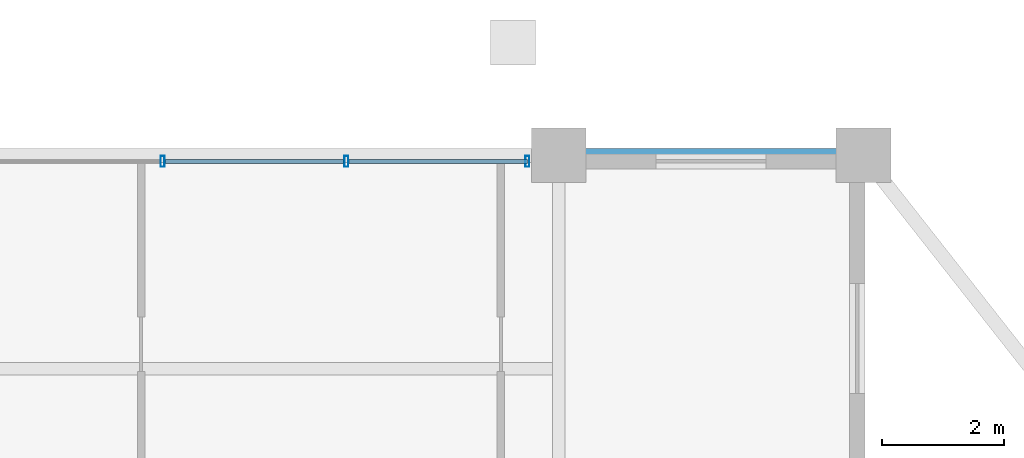
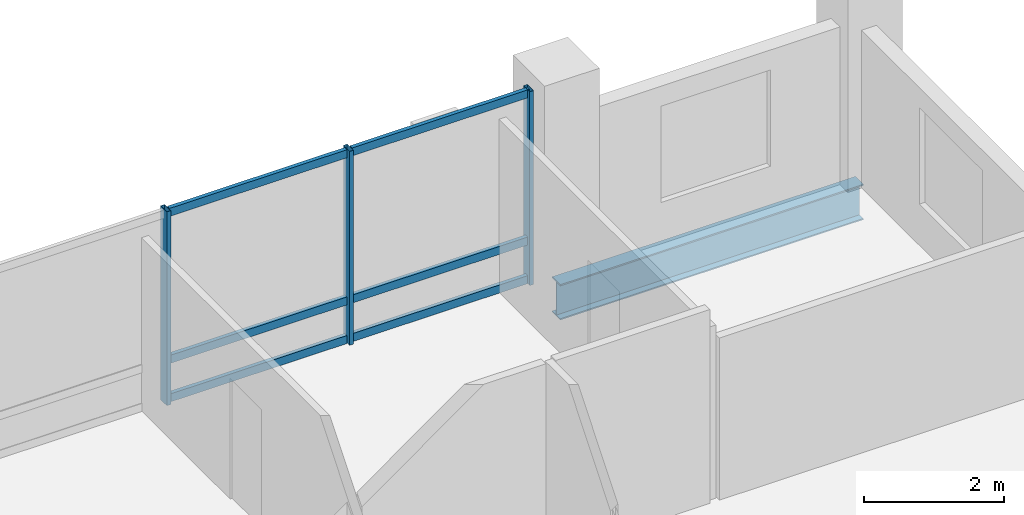
# One storey, part 14 of 21: 9 members, 1 beam, 1 element without a shape of its own.
"""IFC4 building model written with IfcOpenShell, lengths in metres."""

from ifc_helpers import new_model, si_unit, direction, frame, origin, origin_2d, place, context, subcontext, project, spatial, hollow_rectangle, i_section, extrude, material, layer, layer_set, material_profile, profile_set, type_object, element, aggregate, save


model = new_model("IFC4")

# Units and contexts
model_context = context("Model", 3, precision=1e-05, world=origin(), true_north=direction((0.0, 1.0)))
body_context = subcontext(model_context, "Body", "Model", "MODEL_VIEW")
ifc_project = project(units=[si_unit("LENGTHUNIT", "METRE"), si_unit("AREAUNIT", "SQUARE_METRE"), si_unit("VOLUMEUNIT", "CUBIC_METRE"), si_unit("PLANEANGLEUNIT", "RADIAN"), si_unit("MASSUNIT", "GRAM", prefix="KILO")], contexts=[model_context])

# Site, building, storey
site_placement = place(None, origin())
site = spatial("IfcSite", under=ifc_project, at=site_placement, CompositionType="ELEMENT")
building_placement = place(site_placement, origin())
building = spatial("IfcBuilding", under=site, at=building_placement, Name="Barlavira Tower and Art Museum", CompositionType="ELEMENT")
storey_placement = place(building_placement, frame((0.0, 0.0, 222.300048828125)))
storey = spatial("IfcBuildingStorey", under=building, at=storey_placement, Name="L57", CompositionType="ELEMENT", Elevation=222.300048828125)

# Curtain wall, members
ifc_material_1 = material(Name="Low-iron coastal laminated glass", Category="glass")
ifc_layer = layer(ifc_material_1, 0.2099609375, Name="Low-iron coastal laminated glass")
ifc_layer_set = layer_set([ifc_layer], Name="Low-iron coastal laminated glass")
curtain_wall_type = type_object("IfcCurtainWallType", Name="Pale-Metal Unitised Curtain Wall Zone 4", PredefinedType="NOTDEFINED", material=ifc_layer_set)
curtain_wall_placement = place(storey_placement, origin())
curtain_wall = element("IfcCurtainWall", 1, at=curtain_wall_placement, inside=storey, type_object=curtain_wall_type, Name="L57 Curtain Wall CW4-L57-N-B2", PredefinedType="NOTDEFINED")
ifc_material_2 = material(Name="Pale anodised aluminium", Category="aluminium")
ifc_material_profile_1 = material_profile(ifc_material_2, hollow_rectangle(XDim=0.06494140625, YDim=0.179931640625, WallThickness=0.00390625, at=origin_2d()), Name="ALU-MULL 65x180x4")
ifc_profile_set_1 = profile_set([ifc_material_profile_1], Name="Pale anodised aluminium")
member_type_1 = type_object("IfcMemberType", Name="Curtain Wall Pale-Metal Mullion 65x180", PredefinedType="MULLION", material=ifc_profile_set_1)
member_1_placement = place(storey_placement, frame((5.985107421875, 19.89990234375, 0.0), z_axis=(0.0, 0.0, 1.0), x_axis=(-1.0, 0.0, 0.0)))
member_1 = element("IfcMember", 2, at=member_1_placement, type_object=member_type_1, Name="CW4-L57-N-B2 Mullion 0", PredefinedType="MULLION", context=body_context, shape_type="SweptSolid", body=[
    extrude(hollow_rectangle(XDim=0.06494140625, YDim=0.179931640625, WallThickness=0.00390625, at=origin_2d()), origin(), (0.0, 0.0, 1.0), 3.3798828125),
])
member_2_placement = place(storey_placement, frame((3.014892578125, 19.89990234375, 0.0), z_axis=(0.0, 0.0, 1.0), x_axis=(-1.0, 0.0, 0.0)))
member_2 = element("IfcMember", 3, at=member_2_placement, type_object=member_type_1, Name="CW4-L57-N-B2 Mullion 1", PredefinedType="MULLION", context=body_context, shape_type="SweptSolid", body=[
    extrude(hollow_rectangle(XDim=0.06494140625, YDim=0.179931640625, WallThickness=0.00390625, at=origin_2d()), origin(), (0.0, 0.0, 1.0), 3.3798828125),
])
member_3_placement = place(storey_placement, frame((0.0, 19.89990234375, 0.0), z_axis=(0.0, 0.0, 1.0), x_axis=(-1.0, 0.0, 0.0)))
member_3 = element("IfcMember", 4, at=member_3_placement, type_object=member_type_1, Name="CW4-L57-N-B2 Mullion 2", PredefinedType="MULLION", context=body_context, shape_type="SweptSolid", body=[
    extrude(hollow_rectangle(XDim=0.06494140625, YDim=0.179931640625, WallThickness=0.00390625, at=origin_2d()), origin(), (0.0, 0.0, 1.0), 3.3798828125),
])
ifc_material_profile_2 = material_profile(ifc_material_2, hollow_rectangle(XDim=0.06494140625, YDim=0.139892578125, WallThickness=0.00390625, at=origin_2d()), Name="ALU-TRAN 65x140x4")
ifc_profile_set_2 = profile_set([ifc_material_profile_2], Name="Pale anodised aluminium")
member_type_2 = type_object("IfcMemberType", Name="Curtain Wall Pale-Metal Transom 65x140", PredefinedType="USERDEFINED", material=ifc_profile_set_2)
member_4_placement = place(storey_placement, frame((5.985107421875, 19.89990234375, 0.070068359375), z_axis=(-1.0, 0.0, 0.0), x_axis=(0.0, -1.0, 0.0)))
member_4 = element("IfcMember", 5, at=member_4_placement, type_object=member_type_2, Name="CW4-L57-N-B2 Transom 0.1", ObjectType="TRANSOM", PredefinedType="USERDEFINED", context=body_context, shape_type="SweptSolid", body=[
    extrude(hollow_rectangle(XDim=0.06494140625, YDim=0.139892578125, WallThickness=0.00390625, at=origin_2d()), origin(), (0.0, 0.0, 1.0), 2.925048828125),
])
member_5_placement = place(storey_placement, frame((5.985107421875, 19.89990234375, 0.743896484375), z_axis=(-1.0, 0.0, 0.0), x_axis=(0.0, -1.0, 0.0)))
member_5 = element("IfcMember", 6, at=member_5_placement, type_object=member_type_2, Name="CW4-L57-N-B2 Transom 0.2", ObjectType="TRANSOM", PredefinedType="USERDEFINED", context=body_context, shape_type="SweptSolid", body=[
    extrude(hollow_rectangle(XDim=0.06494140625, YDim=0.139892578125, WallThickness=0.00390625, at=origin_2d()), origin(), (0.0, 0.0, 1.0), 2.925048828125),
])
member_6_placement = place(storey_placement, frame((5.985107421875, 19.89990234375, 3.31005859375), z_axis=(-1.0, 0.0, 0.0), x_axis=(0.0, -1.0, 0.0)))
member_6 = element("IfcMember", 7, at=member_6_placement, type_object=member_type_2, Name="CW4-L57-N-B2 Transom 0.3", ObjectType="TRANSOM", PredefinedType="USERDEFINED", context=body_context, shape_type="SweptSolid", body=[
    extrude(hollow_rectangle(XDim=0.06494140625, YDim=0.139892578125, WallThickness=0.00390625, at=origin_2d()), origin(), (0.0, 0.0, 1.0), 2.925048828125),
])
member_7_placement = place(storey_placement, frame((2.969970703125, 19.89990234375, 0.070068359375), z_axis=(-1.0, 0.0, 0.0), x_axis=(0.0, -1.0, 0.0)))
member_7 = element("IfcMember", 8, at=member_7_placement, type_object=member_type_2, Name="CW4-L57-N-B2 Transom 1.1", ObjectType="TRANSOM", PredefinedType="USERDEFINED", context=body_context, shape_type="SweptSolid", body=[
    extrude(hollow_rectangle(XDim=0.06494140625, YDim=0.139892578125, WallThickness=0.00390625, at=origin_2d()), origin(), (0.0, 0.0, 1.0), 2.925048828125),
])
member_8_placement = place(storey_placement, frame((2.969970703125, 19.89990234375, 0.743896484375), z_axis=(-1.0, 0.0, 0.0), x_axis=(0.0, -1.0, 0.0)))
member_8 = element("IfcMember", 9, at=member_8_placement, type_object=member_type_2, Name="CW4-L57-N-B2 Transom 1.2", ObjectType="TRANSOM", PredefinedType="USERDEFINED", context=body_context, shape_type="SweptSolid", body=[
    extrude(hollow_rectangle(XDim=0.06494140625, YDim=0.139892578125, WallThickness=0.00390625, at=origin_2d()), origin(), (0.0, 0.0, 1.0), 2.925048828125),
])
member_9_placement = place(storey_placement, frame((2.969970703125, 19.89990234375, 3.31005859375), z_axis=(-1.0, 0.0, 0.0), x_axis=(0.0, -1.0, 0.0)))
member_9 = element("IfcMember", 10, at=member_9_placement, type_object=member_type_2, Name="CW4-L57-N-B2 Transom 1.3", ObjectType="TRANSOM", PredefinedType="USERDEFINED", context=body_context, shape_type="SweptSolid", body=[
    extrude(hollow_rectangle(XDim=0.06494140625, YDim=0.139892578125, WallThickness=0.00390625, at=origin_2d()), origin(), (0.0, 0.0, 1.0), 2.925048828125),
])
aggregate(curtain_wall, [member_1, member_2, member_3, member_4, member_5, member_6, member_7, member_8, member_9])

# Beam
ifc_material_3 = material(Name="Steel S355", Category="steel")
ifc_material_profile_3 = material_profile(ifc_material_3, i_section(OverallWidth=0.22998046875, OverallDepth=0.616943359375, WebThickness=0.01318359375, FlangeThickness=0.022216796875, at=origin_2d()), Name="W610x140.0")
ifc_profile_set_3 = profile_set([ifc_material_profile_3], Name="Steel S355")
beam_type = type_object("IfcBeamType", Name="Upper Shaft Spandrel Edge Beam W610x140 Steel S355", PredefinedType="SPANDREL", material=ifc_profile_set_3)
beam_placement = place(storey_placement, frame((6.5, 20.0, -0.528564453125), z_axis=(1.0, 0.0, 0.0), x_axis=(0.0, 1.0, 0.0)))
element("IfcBeam", 11, at=beam_placement, inside=storey, type_object=beam_type, Name="L57 Spandrel 9", PredefinedType="SPANDREL", context=body_context, shape_type="SweptSolid", body=[
    extrude(i_section(OverallWidth=0.22998046875, OverallDepth=0.616943359375, WebThickness=0.01318359375, FlangeThickness=0.022216796875, at=origin_2d()), origin(), (0.0, 0.0, 1.0), 5.0),
])

save(model, "model.ifc")
